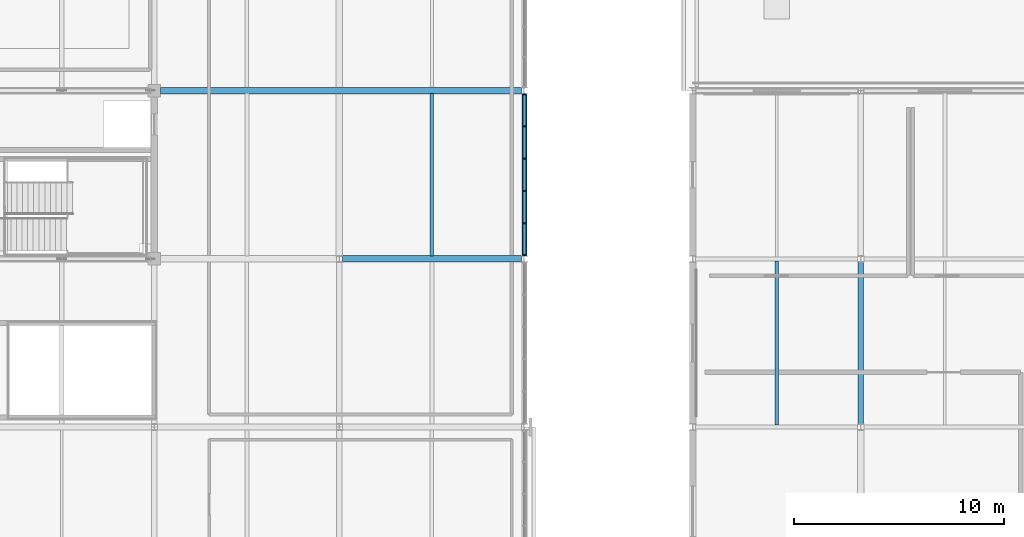
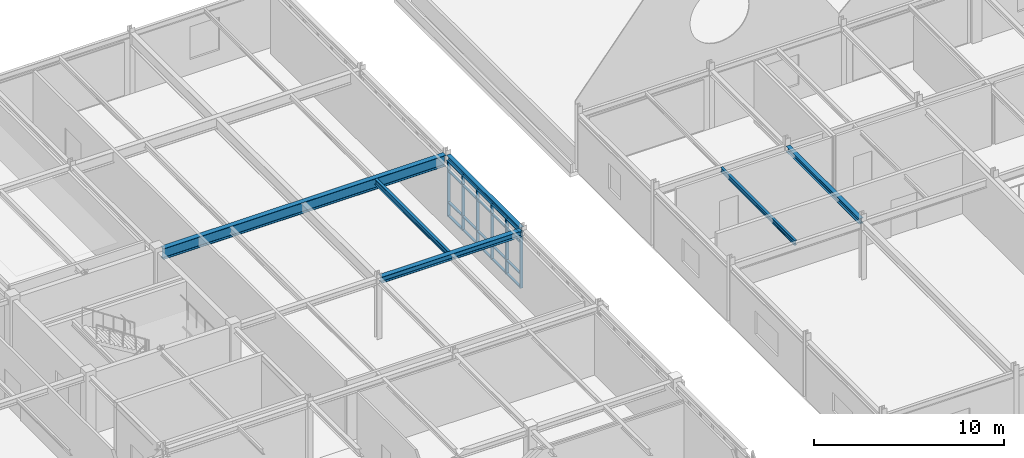
# One storey, part 32 of 88: 26 members, 6 beams, 1 element without a shape of its own.
"""IFC4 building model written with IfcOpenShell, lengths in metres."""

from ifc_helpers import new_model, si_unit, direction, frame, origin, origin_2d, place, context, subcontext, project, spatial, rectangle, i_section, extrude, material, material_profile, profile_set, type_object, element, aggregate, save


model = new_model("IFC4")

# Units and contexts
model_context = context("Model", 3, precision=1e-05, world=origin(), true_north=direction((0.0, 1.0)))
body_context = subcontext(model_context, "Body", "Model", "MODEL_VIEW")
ifc_project = project(units=[si_unit("LENGTHUNIT", "METRE"), si_unit("AREAUNIT", "SQUARE_METRE"), si_unit("VOLUMEUNIT", "CUBIC_METRE"), si_unit("PLANEANGLEUNIT", "RADIAN"), si_unit("MASSUNIT", "GRAM", prefix="KILO")], contexts=[model_context])

# Site, building, storey
site_placement = place(None, origin())
site = spatial("IfcSite", under=ifc_project, at=site_placement, CompositionType="ELEMENT")
building_placement = place(site_placement, origin())
building = spatial("IfcBuilding", under=site, at=building_placement, Name="Zhaolan Boulevard Law Courts", CompositionType="ELEMENT")
storey_placement = place(building_placement, frame((0.0, 0.0, 16.199951171875)))
storey = spatial("IfcBuildingStorey", under=building, at=storey_placement, Name="L03", CompositionType="ELEMENT", Elevation=16.199951171875)

# Curtain wall, members
ifc_material_1 = material(Name="Thermally broken aluminium and low-E glazing", Category="aluminium")
curtain_wall_type = type_object("IfcCurtainWallType", Name="CURTAIN WALL M8", PredefinedType="USERDEFINED", material=ifc_material_1)
curtain_wall_placement = place(storey_placement, origin())
curtain_wall = element("IfcCurtainWall", 1, at=curtain_wall_placement, inside=storey, type_object=curtain_wall_type, Name="Curtain Wall CW-L03-128", ObjectType="CURTAIN WALL", PredefinedType="USERDEFINED")
ifc_material_2 = material(Name="Fluorocarbon-coated aluminium 6063-T6", Category="aluminium")
ifc_material_profile_1 = material_profile(ifc_material_2, rectangle(XDim=0.179931640625, YDim=0.06494140625, at=origin_2d()), Name="AL65x180")
ifc_profile_set_1 = profile_set([ifc_material_profile_1], Name="Fluorocarbon-coated aluminium 6063-T6")
member_type_1 = type_object("IfcMemberType", Name="CWMULLION 65X180", PredefinedType="MULLION", material=ifc_profile_set_1)
member_1_placement = place(storey_placement, frame((44.0, 86.1845703125, 0.0), z_axis=(0.0, 0.0, 1.0), x_axis=(-1.0, 0.0, 0.0)))
member_1 = element("IfcMember", 2, at=member_1_placement, type_object=member_type_1, Name="CW-L03-128 mullion 1", PredefinedType="MULLION", context=body_context, shape_type="SweptSolid", body=[
    extrude(rectangle(XDim=0.179931640625, YDim=0.06494140625, at=origin_2d()), origin(), (0.0, 0.0, 1.0), 3.56298828125),
])
member_2_placement = place(storey_placement, frame((44.0, 87.691162109375, 0.0), z_axis=(0.0, 0.0, 1.0), x_axis=(-1.0, 0.0, 0.0)))
member_2 = element("IfcMember", 3, at=member_2_placement, type_object=member_type_1, Name="CW-L03-128 mullion 2", PredefinedType="MULLION", context=body_context, shape_type="SweptSolid", body=[
    extrude(rectangle(XDim=0.179931640625, YDim=0.06494140625, at=origin_2d()), origin(), (0.0, 0.0, 1.0), 3.56298828125),
])
member_3_placement = place(storey_placement, frame((44.0, 89.23046875, 0.0), z_axis=(0.0, 0.0, 1.0), x_axis=(-1.0, 0.0, 0.0)))
member_3 = element("IfcMember", 4, at=member_3_placement, type_object=member_type_1, Name="CW-L03-128 mullion 3", PredefinedType="MULLION", context=body_context, shape_type="SweptSolid", body=[
    extrude(rectangle(XDim=0.179931640625, YDim=0.06494140625, at=origin_2d()), origin(), (0.0, 0.0, 1.0), 3.56298828125),
])
member_4_placement = place(storey_placement, frame((44.0, 90.76953125, 0.0), z_axis=(0.0, 0.0, 1.0), x_axis=(-1.0, 0.0, 0.0)))
member_4 = element("IfcMember", 5, at=member_4_placement, type_object=member_type_1, Name="CW-L03-128 mullion 4", PredefinedType="MULLION", context=body_context, shape_type="SweptSolid", body=[
    extrude(rectangle(XDim=0.179931640625, YDim=0.06494140625, at=origin_2d()), origin(), (0.0, 0.0, 1.0), 3.56298828125),
])
member_5_placement = place(storey_placement, frame((44.0, 92.308837890625, 0.0), z_axis=(0.0, 0.0, 1.0), x_axis=(-1.0, 0.0, 0.0)))
member_5 = element("IfcMember", 6, at=member_5_placement, type_object=member_type_1, Name="CW-L03-128 mullion 5", PredefinedType="MULLION", context=body_context, shape_type="SweptSolid", body=[
    extrude(rectangle(XDim=0.179931640625, YDim=0.06494140625, at=origin_2d()), origin(), (0.0, 0.0, 1.0), 3.56298828125),
])
member_6_placement = place(storey_placement, frame((44.0, 93.8154296875, 0.0), z_axis=(0.0, 0.0, 1.0), x_axis=(-1.0, 0.0, 0.0)))
member_6 = element("IfcMember", 7, at=member_6_placement, type_object=member_type_1, Name="CW-L03-128 mullion 6", PredefinedType="MULLION", context=body_context, shape_type="SweptSolid", body=[
    extrude(rectangle(XDim=0.179931640625, YDim=0.06494140625, at=origin_2d()), origin(), (0.0, 0.0, 1.0), 3.56298828125),
])
ifc_material_3 = material(Name="Fluorocarbon-coated aluminium 6063-T6", Category="aluminium")
ifc_material_profile_2 = material_profile(ifc_material_3, rectangle(XDim=0.139892578125, YDim=0.06494140625, at=origin_2d()), Name="AL65x140")
ifc_profile_set_2 = profile_set([ifc_material_profile_2], Name="Fluorocarbon-coated aluminium 6063-T6")
member_type_2 = type_object("IfcMemberType", Name="CWTRANSOM 65X140", PredefinedType="USERDEFINED", material=ifc_profile_set_2)
member_7_placement = place(storey_placement, frame((44.0, 86.217041015625, 0.032470703125), z_axis=(0.0, 1.0, 0.0), x_axis=(-1.0, 0.0, 0.0)))
member_7 = element("IfcMember", 8, at=member_7_placement, type_object=member_type_2, Name="CW-L03-128 transom 1.1", ObjectType="TRANSOM", PredefinedType="USERDEFINED", context=body_context, shape_type="SweptSolid", body=[
    extrude(rectangle(XDim=0.139892578125, YDim=0.06494140625, at=origin_2d()), origin(), (0.0, 0.0, 1.0), 1.441650390625),
])
member_8_placement = place(storey_placement, frame((44.0, 86.217041015625, 0.900146484375), z_axis=(0.0, 1.0, 0.0), x_axis=(-1.0, 0.0, 0.0)))
member_8 = element("IfcMember", 9, at=member_8_placement, type_object=member_type_2, Name="CW-L03-128 transom 1.2", ObjectType="TRANSOM", PredefinedType="USERDEFINED", context=body_context, shape_type="SweptSolid", body=[
    extrude(rectangle(XDim=0.139892578125, YDim=0.06494140625, at=origin_2d()), origin(), (0.0, 0.0, 1.0), 1.441650390625),
])
member_9_placement = place(storey_placement, frame((44.0, 86.217041015625, 2.9130859375), z_axis=(0.0, 1.0, 0.0), x_axis=(-1.0, 0.0, 0.0)))
member_9 = element("IfcMember", 10, at=member_9_placement, type_object=member_type_2, Name="CW-L03-128 transom 1.3", ObjectType="TRANSOM", PredefinedType="USERDEFINED", context=body_context, shape_type="SweptSolid", body=[
    extrude(rectangle(XDim=0.139892578125, YDim=0.06494140625, at=origin_2d()), origin(), (0.0, 0.0, 1.0), 1.441650390625),
])
member_10_placement = place(storey_placement, frame((44.0, 86.217041015625, 3.530517578125), z_axis=(0.0, 1.0, 0.0), x_axis=(-1.0, 0.0, 0.0)))
member_10 = element("IfcMember", 11, at=member_10_placement, type_object=member_type_2, Name="CW-L03-128 transom 1.4", ObjectType="TRANSOM", PredefinedType="USERDEFINED", context=body_context, shape_type="SweptSolid", body=[
    extrude(rectangle(XDim=0.139892578125, YDim=0.06494140625, at=origin_2d()), origin(), (0.0, 0.0, 1.0), 1.441650390625),
])
member_11_placement = place(storey_placement, frame((44.0, 87.7236328125, 0.032470703125), z_axis=(0.0, 1.0, 0.0), x_axis=(-1.0, 0.0, 0.0)))
member_11 = element("IfcMember", 12, at=member_11_placement, type_object=member_type_2, Name="CW-L03-128 transom 2.1", ObjectType="TRANSOM", PredefinedType="USERDEFINED", context=body_context, shape_type="SweptSolid", body=[
    extrude(rectangle(XDim=0.139892578125, YDim=0.06494140625, at=origin_2d()), origin(), (0.0, 0.0, 1.0), 1.474365234375),
])
member_12_placement = place(storey_placement, frame((44.0, 87.7236328125, 0.900146484375), z_axis=(0.0, 1.0, 0.0), x_axis=(-1.0, 0.0, 0.0)))
member_12 = element("IfcMember", 13, at=member_12_placement, type_object=member_type_2, Name="CW-L03-128 transom 2.2", ObjectType="TRANSOM", PredefinedType="USERDEFINED", context=body_context, shape_type="SweptSolid", body=[
    extrude(rectangle(XDim=0.139892578125, YDim=0.06494140625, at=origin_2d()), origin(), (0.0, 0.0, 1.0), 1.474365234375),
])
member_13_placement = place(storey_placement, frame((44.0, 87.7236328125, 2.9130859375), z_axis=(0.0, 1.0, 0.0), x_axis=(-1.0, 0.0, 0.0)))
member_13 = element("IfcMember", 14, at=member_13_placement, type_object=member_type_2, Name="CW-L03-128 transom 2.3", ObjectType="TRANSOM", PredefinedType="USERDEFINED", context=body_context, shape_type="SweptSolid", body=[
    extrude(rectangle(XDim=0.139892578125, YDim=0.06494140625, at=origin_2d()), origin(), (0.0, 0.0, 1.0), 1.474365234375),
])
member_14_placement = place(storey_placement, frame((44.0, 87.7236328125, 3.530517578125), z_axis=(0.0, 1.0, 0.0), x_axis=(-1.0, 0.0, 0.0)))
member_14 = element("IfcMember", 15, at=member_14_placement, type_object=member_type_2, Name="CW-L03-128 transom 2.4", ObjectType="TRANSOM", PredefinedType="USERDEFINED", context=body_context, shape_type="SweptSolid", body=[
    extrude(rectangle(XDim=0.139892578125, YDim=0.06494140625, at=origin_2d()), origin(), (0.0, 0.0, 1.0), 1.474365234375),
])
member_15_placement = place(storey_placement, frame((44.0, 89.262939453125, 0.032470703125), z_axis=(0.0, 1.0, 0.0), x_axis=(-1.0, 0.0, 0.0)))
member_15 = element("IfcMember", 16, at=member_15_placement, type_object=member_type_2, Name="CW-L03-128 transom 3.1", ObjectType="TRANSOM", PredefinedType="USERDEFINED", context=body_context, shape_type="SweptSolid", body=[
    extrude(rectangle(XDim=0.139892578125, YDim=0.06494140625, at=origin_2d()), origin(), (0.0, 0.0, 1.0), 1.47412109375),
])
member_16_placement = place(storey_placement, frame((44.0, 89.262939453125, 0.900146484375), z_axis=(0.0, 1.0, 0.0), x_axis=(-1.0, 0.0, 0.0)))
member_16 = element("IfcMember", 17, at=member_16_placement, type_object=member_type_2, Name="CW-L03-128 transom 3.2", ObjectType="TRANSOM", PredefinedType="USERDEFINED", context=body_context, shape_type="SweptSolid", body=[
    extrude(rectangle(XDim=0.139892578125, YDim=0.06494140625, at=origin_2d()), origin(), (0.0, 0.0, 1.0), 1.47412109375),
])
member_17_placement = place(storey_placement, frame((44.0, 89.262939453125, 2.9130859375), z_axis=(0.0, 1.0, 0.0), x_axis=(-1.0, 0.0, 0.0)))
member_17 = element("IfcMember", 18, at=member_17_placement, type_object=member_type_2, Name="CW-L03-128 transom 3.3", ObjectType="TRANSOM", PredefinedType="USERDEFINED", context=body_context, shape_type="SweptSolid", body=[
    extrude(rectangle(XDim=0.139892578125, YDim=0.06494140625, at=origin_2d()), origin(), (0.0, 0.0, 1.0), 1.47412109375),
])
member_18_placement = place(storey_placement, frame((44.0, 89.262939453125, 3.530517578125), z_axis=(0.0, 1.0, 0.0), x_axis=(-1.0, 0.0, 0.0)))
member_18 = element("IfcMember", 19, at=member_18_placement, type_object=member_type_2, Name="CW-L03-128 transom 3.4", ObjectType="TRANSOM", PredefinedType="USERDEFINED", context=body_context, shape_type="SweptSolid", body=[
    extrude(rectangle(XDim=0.139892578125, YDim=0.06494140625, at=origin_2d()), origin(), (0.0, 0.0, 1.0), 1.47412109375),
])
member_19_placement = place(storey_placement, frame((44.0, 90.802001953125, 0.032470703125), z_axis=(0.0, 1.0, 0.0), x_axis=(-1.0, 0.0, 0.0)))
member_19 = element("IfcMember", 20, at=member_19_placement, type_object=member_type_2, Name="CW-L03-128 transom 4.1", ObjectType="TRANSOM", PredefinedType="USERDEFINED", context=body_context, shape_type="SweptSolid", body=[
    extrude(rectangle(XDim=0.139892578125, YDim=0.06494140625, at=origin_2d()), origin(), (0.0, 0.0, 1.0), 1.474365234375),
])
member_20_placement = place(storey_placement, frame((44.0, 90.802001953125, 0.900146484375), z_axis=(0.0, 1.0, 0.0), x_axis=(-1.0, 0.0, 0.0)))
member_20 = element("IfcMember", 21, at=member_20_placement, type_object=member_type_2, Name="CW-L03-128 transom 4.2", ObjectType="TRANSOM", PredefinedType="USERDEFINED", context=body_context, shape_type="SweptSolid", body=[
    extrude(rectangle(XDim=0.139892578125, YDim=0.06494140625, at=origin_2d()), origin(), (0.0, 0.0, 1.0), 1.474365234375),
])
member_21_placement = place(storey_placement, frame((44.0, 90.802001953125, 2.9130859375), z_axis=(0.0, 1.0, 0.0), x_axis=(-1.0, 0.0, 0.0)))
member_21 = element("IfcMember", 22, at=member_21_placement, type_object=member_type_2, Name="CW-L03-128 transom 4.3", ObjectType="TRANSOM", PredefinedType="USERDEFINED", context=body_context, shape_type="SweptSolid", body=[
    extrude(rectangle(XDim=0.139892578125, YDim=0.06494140625, at=origin_2d()), origin(), (0.0, 0.0, 1.0), 1.474365234375),
])
member_22_placement = place(storey_placement, frame((44.0, 90.802001953125, 3.530517578125), z_axis=(0.0, 1.0, 0.0), x_axis=(-1.0, 0.0, 0.0)))
member_22 = element("IfcMember", 23, at=member_22_placement, type_object=member_type_2, Name="CW-L03-128 transom 4.4", ObjectType="TRANSOM", PredefinedType="USERDEFINED", context=body_context, shape_type="SweptSolid", body=[
    extrude(rectangle(XDim=0.139892578125, YDim=0.06494140625, at=origin_2d()), origin(), (0.0, 0.0, 1.0), 1.474365234375),
])
member_23_placement = place(storey_placement, frame((44.0, 92.34130859375, 0.032470703125), z_axis=(0.0, 1.0, 0.0), x_axis=(-1.0, 0.0, 0.0)))
member_23 = element("IfcMember", 24, at=member_23_placement, type_object=member_type_2, Name="CW-L03-128 transom 5.1", ObjectType="TRANSOM", PredefinedType="USERDEFINED", context=body_context, shape_type="SweptSolid", body=[
    extrude(rectangle(XDim=0.139892578125, YDim=0.06494140625, at=origin_2d()), origin(), (0.0, 0.0, 1.0), 1.441650390625),
])
member_24_placement = place(storey_placement, frame((44.0, 92.34130859375, 0.900146484375), z_axis=(0.0, 1.0, 0.0), x_axis=(-1.0, 0.0, 0.0)))
member_24 = element("IfcMember", 25, at=member_24_placement, type_object=member_type_2, Name="CW-L03-128 transom 5.2", ObjectType="TRANSOM", PredefinedType="USERDEFINED", context=body_context, shape_type="SweptSolid", body=[
    extrude(rectangle(XDim=0.139892578125, YDim=0.06494140625, at=origin_2d()), origin(), (0.0, 0.0, 1.0), 1.441650390625),
])
member_25_placement = place(storey_placement, frame((44.0, 92.34130859375, 2.9130859375), z_axis=(0.0, 1.0, 0.0), x_axis=(-1.0, 0.0, 0.0)))
member_25 = element("IfcMember", 26, at=member_25_placement, type_object=member_type_2, Name="CW-L03-128 transom 5.3", ObjectType="TRANSOM", PredefinedType="USERDEFINED", context=body_context, shape_type="SweptSolid", body=[
    extrude(rectangle(XDim=0.139892578125, YDim=0.06494140625, at=origin_2d()), origin(), (0.0, 0.0, 1.0), 1.441650390625),
])
member_26_placement = place(storey_placement, frame((44.0, 92.34130859375, 3.530517578125), z_axis=(0.0, 1.0, 0.0), x_axis=(-1.0, 0.0, 0.0)))
member_26 = element("IfcMember", 27, at=member_26_placement, type_object=member_type_2, Name="CW-L03-128 transom 5.4", ObjectType="TRANSOM", PredefinedType="USERDEFINED", context=body_context, shape_type="SweptSolid", body=[
    extrude(rectangle(XDim=0.139892578125, YDim=0.06494140625, at=origin_2d()), origin(), (0.0, 0.0, 1.0), 1.441650390625),
])
aggregate(curtain_wall, [member_1, member_2, member_3, member_4, member_5, member_6, member_7, member_8, member_9, member_10, member_11, member_12, member_13, member_14, member_15, member_16, member_17, member_18, member_19, member_20, member_21, member_22, member_23, member_24, member_25, member_26])

# Beams
ifc_material_4 = material(Name="Structural steel Q355B", Category="steel")
ifc_material_profile_3 = material_profile(ifc_material_4, i_section(OverallWidth=0.25, OverallDepth=0.340087890625, WebThickness=0.009033203125, FlangeThickness=0.013916015625, FilletRadius=0.01611328125, at=origin_2d()), Name="HM340x250")
ifc_profile_set_3 = profile_set([ifc_material_profile_3], Name="Structural steel Q355B")
beam_type_1 = type_object("IfcBeamType", Name="GIRDER HM340", PredefinedType="BEAM", material=ifc_profile_set_3)
for number, where, z_axis, x_axis, name in (
    (28, (44.0, 86.14599609375, 3.748046875), (0.0, 1.0, 0.0), (-1.0, 0.0, 0.0), "Beam BY-L04-6-M-N"),
    (29, (60.0, 78.14599609375, 3.568115234375), (0.0, 1.0, 0.0), (-1.0, 0.0, 0.0), "Beam BY-L04-8-L-M"),
):
    element("IfcBeam", number, at=place(storey_placement, frame(where, z_axis=z_axis, x_axis=x_axis)), inside=storey, type_object=beam_type_1, Name=name, PredefinedType="BEAM", context=body_context, shape_type="SweptSolid", body=[
        extrude(i_section(OverallWidth=0.25, OverallDepth=0.340087890625, WebThickness=0.009033203125, FlangeThickness=0.013916015625, FilletRadius=0.01611328125, at=origin_2d()), origin(), (0.0, 0.0, 1.0), 7.7080078125),
    ])
ifc_material_5 = material(Name="Structural steel Q355B", Category="steel")
ifc_material_profile_4 = material_profile(ifc_material_5, i_section(OverallWidth=0.300048828125, OverallDepth=0.389892578125, WebThickness=0.010009765625, FlangeThickness=0.01611328125, FilletRadius=0.01806640625, at=origin_2d()), Name="HM390x300")
ifc_profile_set_4 = profile_set([ifc_material_profile_4], Name="Structural steel Q355B")
beam_type_2 = type_object("IfcBeamType", Name="GIRDER HM390", PredefinedType="BEAM", material=ifc_profile_set_4)
beam_1_placement = place(storey_placement, frame((35.345947265625, 86.0, 3.72314453125), z_axis=(1.0, 0.0, 0.0), x_axis=(0.0, 1.0, 0.0)))
element("IfcBeam", 30, at=beam_1_placement, inside=storey, type_object=beam_type_2, Name="Beam BX-L04-5-6-M", PredefinedType="BEAM", context=body_context, shape_type="SweptSolid", body=[
    extrude(i_section(OverallWidth=0.300048828125, OverallDepth=0.389892578125, WebThickness=0.010009765625, FlangeThickness=0.01611328125, FilletRadius=0.01806640625, at=origin_2d()), origin(), (0.0, 0.0, 1.0), 8.508056640625),
])
ifc_material_6 = material(Name="Structural steel Q390B", Category="steel")
ifc_material_profile_5 = material_profile(ifc_material_6, i_section(OverallWidth=0.300048828125, OverallDepth=0.699951171875, WebThickness=0.012939453125, FlangeThickness=0.02392578125, FilletRadius=0.02392578125, at=origin_2d()), Name="HN700x300")
ifc_profile_set_5 = profile_set([ifc_material_profile_5], Name="Structural steel Q390B")
beam_type_3 = type_object("IfcBeamType", Name="GIRDER HN700", PredefinedType="BEAM", material=ifc_profile_set_5)
beam_2_placement = place(storey_placement, frame((26.696044921875, 94.0, 3.568115234375), z_axis=(1.0, 0.0, 0.0), x_axis=(0.0, 1.0, 0.0)))
element("IfcBeam", 31, at=beam_2_placement, inside=storey, type_object=beam_type_3, Name="Beam BX-L04-4-6-N", PredefinedType="BEAM", context=body_context, shape_type="SweptSolid", body=[
    extrude(i_section(OverallWidth=0.300048828125, OverallDepth=0.699951171875, WebThickness=0.012939453125, FlangeThickness=0.02392578125, FilletRadius=0.02392578125, at=origin_2d()), origin(), (0.0, 0.0, 1.0), 17.157958984375),
])
ifc_material_7 = material(Name="Structural steel Q355B", Category="steel")
ifc_material_profile_6 = material_profile(ifc_material_7, i_section(OverallWidth=0.14990234375, OverallDepth=0.300048828125, WebThickness=0.006591796875, FlangeThickness=0.009033203125, FilletRadius=0.010986328125, at=origin_2d()), Name="HN300x150")
ifc_profile_set_6 = profile_set([ifc_material_profile_6], Name="Structural steel Q355B")
beam_type_4 = type_object("IfcBeamType", Name="JOIST HN300", PredefinedType="JOIST", material=ifc_profile_set_6)
beam_3_placement = place(storey_placement, frame((56.0, 78.095947265625, 3.588134765625), z_axis=(0.0, 1.0, 0.0), x_axis=(-1.0, 0.0, 0.0)))
element("IfcBeam", 32, at=beam_3_placement, inside=storey, type_object=beam_type_4, Name="Composite Joist J-L04-7L", PredefinedType="JOIST", context=body_context, shape_type="SweptSolid", body=[
    extrude(i_section(OverallWidth=0.14990234375, OverallDepth=0.300048828125, WebThickness=0.006591796875, FlangeThickness=0.009033203125, FilletRadius=0.010986328125, at=origin_2d()), origin(), (0.0, 0.0, 1.0), 7.80810546875),
])
ifc_material_8 = material(Name="Structural steel Q355B", Category="steel")
ifc_material_profile_7 = material_profile(ifc_material_8, i_section(OverallWidth=0.175048828125, OverallDepth=0.35009765625, WebThickness=0.007080078125, FlangeThickness=0.010986328125, FilletRadius=0.012939453125, at=origin_2d()), Name="HN350x175")
ifc_profile_set_7 = profile_set([ifc_material_profile_7], Name="Structural steel Q355B")
beam_type_5 = type_object("IfcBeamType", Name="JOIST HN350", PredefinedType="JOIST", material=ifc_profile_set_7)
beam_4_placement = place(storey_placement, frame((39.60009765625, 86.14599609375, 3.7431640625), z_axis=(0.0, 1.0, 0.0), x_axis=(-1.0, 0.0, 0.0)))
element("IfcBeam", 33, at=beam_4_placement, inside=storey, type_object=beam_type_5, Name="Composite Joist J-L04-5M", PredefinedType="JOIST", context=body_context, shape_type="SweptSolid", body=[
    extrude(i_section(OverallWidth=0.175048828125, OverallDepth=0.35009765625, WebThickness=0.007080078125, FlangeThickness=0.010986328125, FilletRadius=0.012939453125, at=origin_2d()), origin(), (0.0, 0.0, 1.0), 7.7080078125),
])

save(model, "model.ifc")
